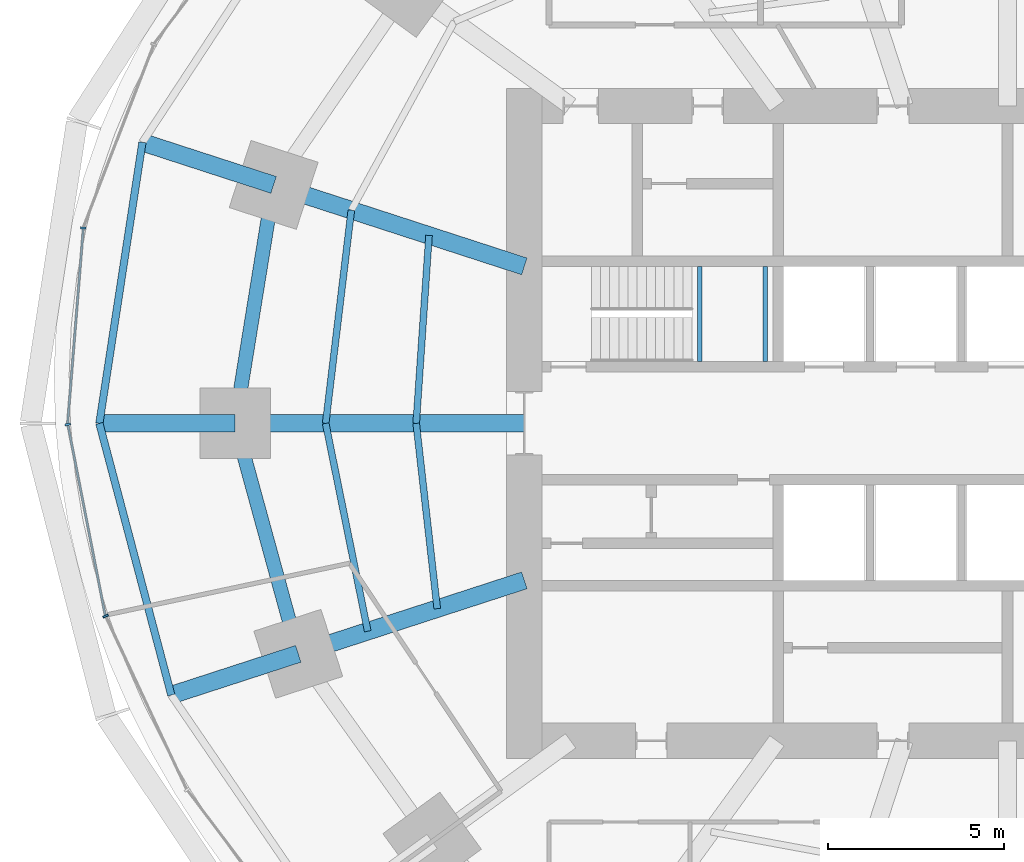
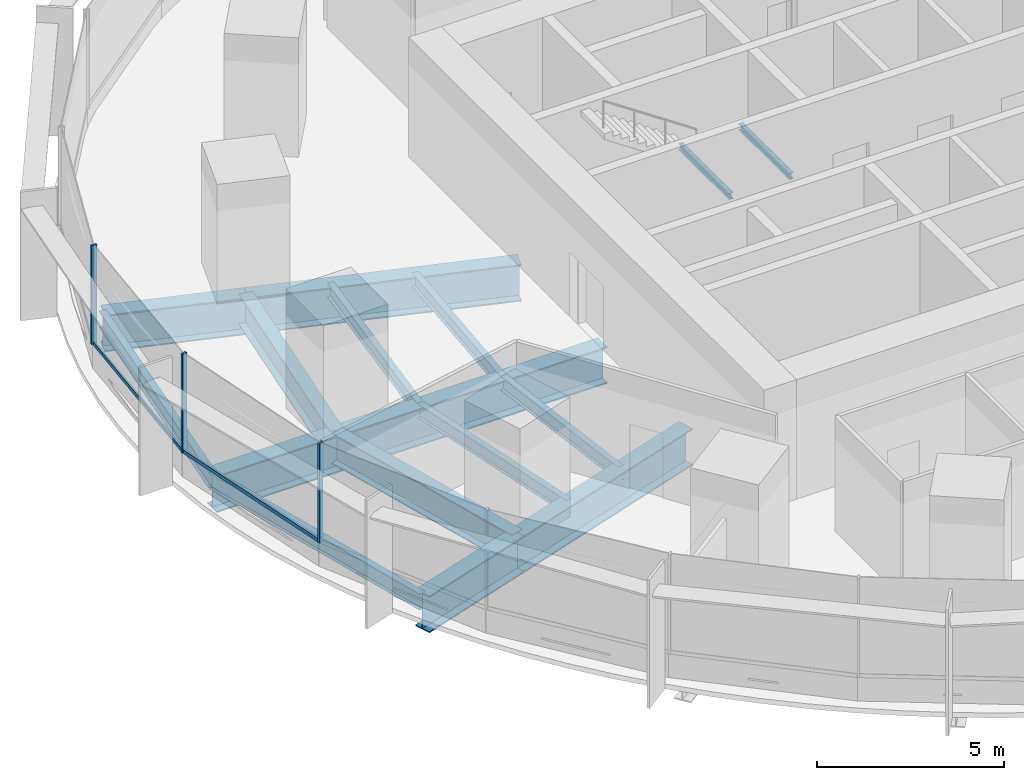
# One storey, part 4 of 15: 16 beams, 5 members, 2 elements without a shape of their own.
"""IFC4 building model written with IfcOpenShell, lengths in metres."""

from ifc_helpers import new_model, si_unit, direction, frame, origin, origin_2d, place, context, subcontext, project, spatial, rectangle, i_section, extrude, material, material_profile, profile_set, type_object, element, aggregate, save


model = new_model("IFC4")

# Units and contexts
model_context = context("Model", 3, precision=1e-05, world=origin(), true_north=direction((0.0, 1.0)))
body_context = subcontext(model_context, "Body", "Model", "MODEL_VIEW")
ifc_project = project(units=[si_unit("LENGTHUNIT", "METRE"), si_unit("AREAUNIT", "SQUARE_METRE"), si_unit("VOLUMEUNIT", "CUBIC_METRE"), si_unit("PLANEANGLEUNIT", "RADIAN"), si_unit("MASSUNIT", "GRAM", prefix="KILO")], contexts=[model_context])

# Site, building, storey
site_placement = place(None, origin())
site = spatial("IfcSite", under=ifc_project, at=site_placement, CompositionType="ELEMENT")
building_placement = place(site_placement, origin())
building = spatial("IfcBuilding", under=site, at=building_placement, Name="Marramba Exchange Tower", CompositionType="ELEMENT")
storey_placement = place(building_placement, frame((0.0, 0.0, 28.0)))
storey = spatial("IfcBuildingStorey", under=building, at=storey_placement, Name="L06", CompositionType="ELEMENT", Elevation=28.0)

# Beams
ifc_material_1 = material(Name="Steel AS/NZS 3679.2 grade 300", Category="steel")
ifc_material_profile_1 = material_profile(ifc_material_1, i_section(OverallWidth=0.5, OverallDepth=1.199951171875, WebThickness=0.01611328125, FlangeThickness=0.0400390625, at=origin_2d()), Name="1200WB455")
ifc_profile_set_1 = profile_set([ifc_material_profile_1], Name="Steel AS/NZS 3679.2 grade 300")
beam_type_1 = type_object("IfcBeamType", Name="Cantilever girder 1200WB455", PredefinedType="BEAM", material=ifc_profile_set_1)
beam_1_placement = place(storey_placement, frame((-20.808349609375, 6.760986328125, -0.760009765625), z_axis=(-0.951058833549, 0.309009862508, 0.0), x_axis=(-0.309009862508, -0.951058833549, 0.0)))
element("IfcBeam", 1, at=beam_1_placement, inside=storey, type_object=beam_type_1, Name="Cantilever girder L06 TC10", PredefinedType="BEAM", context=body_context, shape_type="SweptSolid", body=[
    extrude(i_section(OverallWidth=0.5, OverallDepth=1.199951171875, WebThickness=0.01611328125, FlangeThickness=0.0400390625, at=origin_2d()), origin(), (0.0, 0.0, 1.0), 3.91162109375),
])
beam_2_placement = place(storey_placement, frame((-21.89990234375, 0.0, -0.760009765625), z_axis=(-1.0, 0.0, 0.0), x_axis=(0.0, -1.0, 0.0)))
element("IfcBeam", 2, at=beam_2_placement, inside=storey, type_object=beam_type_1, Name="Cantilever girder L06 TC11", PredefinedType="BEAM", context=body_context, shape_type="SweptSolid", body=[
    extrude(i_section(OverallWidth=0.5, OverallDepth=1.199951171875, WebThickness=0.01611328125, FlangeThickness=0.0400390625, at=origin_2d()), origin(), (0.0, 0.0, 1.0), 3.85009765625),
])
beam_3_placement = place(storey_placement, frame((-20.109375, -6.533935546875, -0.760009765625), z_axis=(-0.951048759501, -0.309040866314, 0.0), x_axis=(0.309040866314, -0.951048759501, 0.0)))
element("IfcBeam", 3, at=beam_3_placement, inside=storey, type_object=beam_type_1, Name="Cantilever girder L06 TC12", PredefinedType="BEAM", context=body_context, shape_type="SweptSolid", body=[
    extrude(i_section(OverallWidth=0.5, OverallDepth=1.199951171875, WebThickness=0.01611328125, FlangeThickness=0.0400390625, at=origin_2d()), origin(), (0.0, 0.0, 1.0), 3.78564453125),
])
ifc_material_2 = material(Name="Steel AS/NZS 3679.1 grade 300", Category="steel")
ifc_material_profile_2 = material_profile(ifc_material_2, i_section(OverallWidth=0.18994140625, OverallDepth=0.4541015625, WebThickness=0.008544921875, FlangeThickness=0.0126953125, FilletRadius=0.011474609375, at=origin_2d()), Name="460UB67.1")
ifc_profile_set_2 = profile_set([ifc_material_profile_2], Name="Steel AS/NZS 3679.1 grade 300")
beam_type_2 = type_object("IfcBeamType", Name="Floor joist 460UB67.1", PredefinedType="JOIST", material=ifc_profile_set_2)
beam_4_placement = place(storey_placement, frame((-16.40283203125, 5.32958984375, -0.386962890625), z_axis=(-0.068096259546, -0.99767875563, 0.0), x_axis=(0.99767875563, -0.068096259546, 0.0)))
element("IfcBeam", 4, at=beam_4_placement, inside=storey, type_object=beam_type_2, Name="Joist L06 bay 10 row 1", PredefinedType="JOIST", context=body_context, shape_type="SweptSolid", body=[
    extrude(i_section(OverallWidth=0.18994140625, OverallDepth=0.4541015625, WebThickness=0.008544921875, FlangeThickness=0.0126953125, FilletRadius=0.011474609375, at=origin_2d()), origin(), (0.0, 0.0, 1.0), 5.342041015625),
])
beam_5_placement = place(storey_placement, frame((-18.60546875, 6.04541015625, -0.386962890625), z_axis=(-0.119523078538, -0.992831422597, 0.0), x_axis=(0.992831422597, -0.119523078538, 0.0)))
element("IfcBeam", 5, at=beam_5_placement, inside=storey, type_object=beam_type_2, Name="Joist L06 bay 10 row 2", PredefinedType="JOIST", context=body_context, shape_type="SweptSolid", body=[
    extrude(i_section(OverallWidth=0.18994140625, OverallDepth=0.4541015625, WebThickness=0.008544921875, FlangeThickness=0.0126953125, FilletRadius=0.011474609375, at=origin_2d()), origin(), (0.0, 0.0, 1.0), 6.089111328125),
])
beam_6_placement = place(storey_placement, frame((-16.7666015625, 0.0, -0.386962890625), z_axis=(0.112888968594, -0.993607609054, 0.0), x_axis=(0.993607609054, 0.112888968594, 0.0)))
element("IfcBeam", 6, at=beam_6_placement, inside=storey, type_object=beam_type_2, Name="Joist L06 bay 11 row 1", PredefinedType="JOIST", context=body_context, shape_type="SweptSolid", body=[
    extrude(i_section(OverallWidth=0.18994140625, OverallDepth=0.4541015625, WebThickness=0.008544921875, FlangeThickness=0.0126953125, FilletRadius=0.011474609375, at=origin_2d()), origin(), (0.0, 0.0, 1.0), 5.28759765625),
])
beam_7_placement = place(storey_placement, frame((-19.333251953125, 0.0, -0.386962890625), z_axis=(0.198489047047, -0.980103105904, 0.0), x_axis=(0.980103105904, 0.198489047047, 0.0)))
element("IfcBeam", 7, at=beam_7_placement, inside=storey, type_object=beam_type_2, Name="Joist L06 bay 11 row 2", PredefinedType="JOIST", context=body_context, shape_type="SweptSolid", body=[
    extrude(i_section(OverallWidth=0.18994140625, OverallDepth=0.4541015625, WebThickness=0.008544921875, FlangeThickness=0.0126953125, FilletRadius=0.011474609375, at=origin_2d()), origin(), (0.0, 0.0, 1.0), 6.013427734375),
])
ifc_material_profile_3 = material_profile(ifc_material_1, i_section(OverallWidth=0.5, OverallDepth=1.199951171875, WebThickness=0.01611328125, FlangeThickness=0.0400390625, at=origin_2d()), Name="1200WB455")
ifc_profile_set_3 = profile_set([ifc_material_profile_3], Name="Steel AS/NZS 3679.2 grade 300")
beam_type_3 = type_object("IfcBeamType", Name="Radial girder 1200WB455", PredefinedType="BEAM", material=ifc_profile_set_3)
beam_8_placement = place(storey_placement, frame((-13.699951171875, 4.451416015625, -0.760009765625), z_axis=(-0.951059990189, 0.309006302624, 0.0), x_axis=(-0.309006302624, -0.951059990189, 0.0)))
element("IfcBeam", 8, at=beam_8_placement, inside=storey, type_object=beam_type_3, Name="Radial girder L06 TC10", PredefinedType="BEAM", context=body_context, shape_type="SweptSolid", body=[
    extrude(i_section(OverallWidth=0.5, OverallDepth=1.199951171875, WebThickness=0.01611328125, FlangeThickness=0.0400390625, at=origin_2d()), origin(), (0.0, 0.0, 1.0), 7.47412109375),
])
beam_9_placement = place(storey_placement, frame((-13.699951171875, 0.0, -0.760009765625), z_axis=(-1.0, 0.0, 0.0), x_axis=(0.0, -1.0, 0.0)))
element("IfcBeam", 9, at=beam_9_placement, inside=storey, type_object=beam_type_3, Name="Radial girder L06 TC11", PredefinedType="BEAM", context=body_context, shape_type="SweptSolid", body=[
    extrude(i_section(OverallWidth=0.5, OverallDepth=1.199951171875, WebThickness=0.01611328125, FlangeThickness=0.0400390625, at=origin_2d()), origin(), (0.0, 0.0, 1.0), 8.199951171875),
])
beam_10_placement = place(storey_placement, frame((-13.699951171875, -4.451416015625, -0.760009765625), z_axis=(-0.951057759669, -0.309013167637, 0.0), x_axis=(0.309013167637, -0.951057759669, 0.0)))
element("IfcBeam", 10, at=beam_10_placement, inside=storey, type_object=beam_type_3, Name="Radial girder L06 TC12", PredefinedType="BEAM", context=body_context, shape_type="SweptSolid", body=[
    extrude(i_section(OverallWidth=0.5, OverallDepth=1.199951171875, WebThickness=0.01611328125, FlangeThickness=0.0400390625, at=origin_2d()), origin(), (0.0, 0.0, 1.0), 6.7392578125),
])
ifc_material_profile_4 = material_profile(ifc_material_1, i_section(OverallWidth=0.39990234375, OverallDepth=1.0, WebThickness=0.01611328125, FlangeThickness=0.031982421875, at=origin_2d()), Name="1000WB322")
ifc_profile_set_4 = profile_set([ifc_material_profile_4], Name="Steel AS/NZS 3679.2 grade 300")
beam_type_4 = type_object("IfcBeamType", Name="Ring beam 1000WB322", PredefinedType="SPANDREL", material=ifc_profile_set_4)
beam_11_placement = place(storey_placement, frame((-20.808349609375, 6.760986328125, -0.659912109375), z_axis=(-0.159384865399, -0.987216523708, 0.0), x_axis=(0.987216523708, -0.159384865399, 0.0)))
element("IfcBeam", 11, at=beam_11_placement, inside=storey, type_object=beam_type_4, Name="Ring beam L06 TC10-TC11", PredefinedType="SPANDREL", context=body_context, shape_type="SweptSolid", body=[
    extrude(i_section(OverallWidth=0.39990234375, OverallDepth=1.0, WebThickness=0.01611328125, FlangeThickness=0.031982421875, at=origin_2d()), origin(), (0.0, 0.0, 1.0), 6.8486328125),
])
beam_12_placement = place(storey_placement, frame((-21.89990234375, 0.0, -0.659912109375), z_axis=(0.264291166956, -0.964442937176, 0.0), x_axis=(0.964442937176, 0.264291166956, 0.0)))
element("IfcBeam", 12, at=beam_12_placement, inside=storey, type_object=beam_type_4, Name="Ring beam L06 TC11-TC12", PredefinedType="SPANDREL", context=body_context, shape_type="SweptSolid", body=[
    extrude(i_section(OverallWidth=0.39990234375, OverallDepth=1.0, WebThickness=0.01611328125, FlangeThickness=0.031982421875, at=origin_2d()), origin(), (0.0, 0.0, 1.0), 6.77490234375),
])
ifc_material_profile_5 = material_profile(ifc_material_2, i_section(OverallWidth=0.208984375, OverallDepth=0.528076171875, WebThickness=0.009521484375, FlangeThickness=0.01318359375, FilletRadius=0.013916015625, at=origin_2d()), Name="530UB82.0")
ifc_profile_set_5 = profile_set([ifc_material_profile_5], Name="Steel AS/NZS 3679.1 grade 300")
beam_type_5 = type_object("IfcBeamType", Name="Slab edge beam 530UB82.0", PredefinedType="SPANDREL", material=ifc_profile_set_5)
beam_13_placement = place(storey_placement, frame((-24.528564453125, 7.9697265625, -0.424072265625), z_axis=(-0.151490591645, -0.988458699513, 0.0), x_axis=(0.988458699513, -0.151490591645, 0.0)))
element("IfcBeam", 13, at=beam_13_placement, inside=storey, type_object=beam_type_5, Name="Slab edge beam L06 TC10-TC11", PredefinedType="SPANDREL", context=body_context, shape_type="SweptSolid", body=[
    extrude(i_section(OverallWidth=0.208984375, OverallDepth=0.528076171875, WebThickness=0.009521484375, FlangeThickness=0.01318359375, FilletRadius=0.013916015625, at=origin_2d()), origin(), (0.0, 0.0, 1.0), 8.062744140625),
])
beam_14_placement = place(storey_placement, frame((-25.75, 0.0, -0.424072265625), z_axis=(0.25601296674, -0.966673347549, 0.0), x_axis=(0.966673347549, 0.25601296674, 0.0)))
element("IfcBeam", 14, at=beam_14_placement, inside=storey, type_object=beam_type_5, Name="Slab edge beam L06 TC11-TC12", PredefinedType="SPANDREL", context=body_context, shape_type="SweptSolid", body=[
    extrude(i_section(OverallWidth=0.208984375, OverallDepth=0.528076171875, WebThickness=0.009521484375, FlangeThickness=0.01318359375, FilletRadius=0.013916015625, at=origin_2d()), origin(), (0.0, 0.0, 1.0), 7.969482421875),
])
ifc_material_profile_6 = material_profile(ifc_material_2, i_section(OverallWidth=0.133056640625, OverallDepth=0.202880859375, WebThickness=0.005859375, FlangeThickness=0.0078125, FilletRadius=0.0087890625, at=origin_2d()), Name="200UB25.4")
ifc_profile_set_6 = profile_set([ifc_material_profile_6], Name="Steel AS/NZS 3679.1 grade 300")
beam_type_6 = type_object("IfcBeamType", Name="Stair landing beam 200UB25.4", PredefinedType="BEAM", material=ifc_profile_set_6)
for number, where, z_axis, x_axis, name in (
    (15, (-8.723388671875, 1.75, 1.798583984375), (0.0, 1.0, 0.0), (-1.0, 0.0, 0.0), "Stair landing beam SLB1 ST1 L06 1"),
    (16, (-6.866455078125, 1.75, 1.798583984375), (0.0, 1.0, 0.0), (-1.0, 0.0, 0.0), "Stair landing beam SLB1 ST1 L06 2"),
):
    element("IfcBeam", number, at=place(storey_placement, frame(where, z_axis=z_axis, x_axis=x_axis)), inside=storey, type_object=beam_type_6, Name=name, PredefinedType="BEAM", context=body_context, shape_type="SweptSolid", body=[
        extrude(i_section(OverallWidth=0.133056640625, OverallDepth=0.202880859375, WebThickness=0.005859375, FlangeThickness=0.0078125, FilletRadius=0.0087890625, at=origin_2d()), origin(), (0.0, 0.0, 1.0), 2.699951171875),
    ])

# Curtain wall, member
ifc_material_3 = material(Name="Aluminium framing, bronze anodised", Category="aluminium")
curtain_wall_type = type_object("IfcCurtainWallType", Name="Trading floor ribbon curtain wall", PredefinedType="USERDEFINED", material=ifc_material_3)
curtain_wall_1_placement = place(storey_placement, origin())
curtain_wall_1 = element("IfcCurtainWall", 17, at=curtain_wall_1_placement, inside=storey, type_object=curtain_wall_type, Name="Curtain wall CW3 L06 F11-F15", ObjectType="RIBBON CURTAIN WALL", PredefinedType="USERDEFINED")
ifc_material_4 = material(Name="Aluminium mullion, bronze anodised", Category="aluminium")
ifc_material_profile_7 = material_profile(ifc_material_4, rectangle(XDim=0.159912109375, YDim=0.06005859375, at=origin_2d()), Name="CW3 mullion 60x160")
ifc_profile_set_7 = profile_set([ifc_material_profile_7], Name="Aluminium mullion, bronze anodised")
member_type_1 = type_object("IfcMemberType", Name="Trading floor ribbon curtain wall mullion", PredefinedType="MULLION", material=ifc_profile_set_7)
member_1_placement = place(storey_placement, frame((-26.203857421875, 5.539306640625, 0.800048828125), z_axis=(0.0, 0.0, 1.0), x_axis=(0.996772736434, -0.080275225953, 0.0)))
member_1 = element("IfcMember", 18, at=member_1_placement, type_object=member_type_1, Name="CW3 mullion 1", PredefinedType="MULLION", context=body_context, shape_type="SweptSolid", body=[
    extrude(rectangle(XDim=0.159912109375, YDim=0.06005859375, at=origin_2d()), origin(), (0.0, 0.0, 1.0), 3.239990234375),
])

# Curtain wall, members
curtain_wall_2_placement = place(storey_placement, origin())
curtain_wall_2 = element("IfcCurtainWall", 19, at=curtain_wall_2_placement, inside=storey, type_object=curtain_wall_type, Name="Curtain wall CW3 L06 F16-F20", ObjectType="RIBBON CURTAIN WALL", PredefinedType="USERDEFINED")
member_2_placement = place(storey_placement, frame((-26.644287109375, -0.029541015625, 0.800048828125), z_axis=(0.0, 0.0, 1.0), x_axis=(0.981346261612, 0.1922485756, 0.0)))
member_2 = element("IfcMember", 20, at=member_2_placement, type_object=member_type_1, Name="CW3 mullion 1", PredefinedType="MULLION", context=body_context, shape_type="SweptSolid", body=[
    extrude(rectangle(XDim=0.159912109375, YDim=0.06005859375, at=origin_2d()), origin(), (0.0, 0.0, 1.0), 3.239990234375),
])
member_3_placement = place(storey_placement, frame((-25.572021484375, -5.46533203125, 0.800048828125), z_axis=(0.0, 0.0, 1.0), x_axis=(0.905906758768, 0.423477206492, 0.0)))
member_3 = element("IfcMember", 21, at=member_3_placement, type_object=member_type_1, Name="CW3 mullion 1", PredefinedType="MULLION", context=body_context, shape_type="SweptSolid", body=[
    extrude(rectangle(XDim=0.159912109375, YDim=0.06005859375, at=origin_2d()), origin(), (0.0, 0.0, 1.0), 3.239990234375),
])

# Member
ifc_material_5 = material(Name="Aluminium transom, bronze anodised", Category="aluminium")
ifc_material_profile_8 = material_profile(ifc_material_5, rectangle(XDim=0.06005859375, YDim=0.1201171875, at=origin_2d()), Name="CW3 transom 60x120")
ifc_profile_set_8 = profile_set([ifc_material_profile_8], Name="Aluminium transom, bronze anodised")
member_type_2 = type_object("IfcMemberType", Name="Trading floor ribbon curtain wall transom", PredefinedType="USERDEFINED", material=ifc_profile_set_8)
member_4_placement = place(storey_placement, frame((-26.206298828125, 5.509521484375, 0.830078125), z_axis=(-0.080256075865, -0.996774278504, 0.0), x_axis=(0.996774278504, -0.080256075865, 0.0)))
member_4 = element("IfcMember", 22, at=member_4_placement, type_object=member_type_2, Name="CW3 sill transom", ObjectType="TRANSOM", PredefinedType="USERDEFINED", context=body_context, shape_type="SweptSolid", body=[
    extrude(rectangle(XDim=0.06005859375, YDim=0.1201171875, at=origin_2d()), origin(), (0.0, 0.0, 1.0), 5.52734375),
])

aggregate(curtain_wall_1, [member_1, member_4])

member_5_placement = place(storey_placement, frame((-26.638427734375, -0.058837890625, 0.830078125), z_axis=(0.192226081646, -0.981350667975, 0.0), x_axis=(0.981350667975, 0.192226081646, 0.0)))
member_5 = element("IfcMember", 23, at=member_5_placement, type_object=member_type_2, Name="CW3 sill transom", ObjectType="TRANSOM", PredefinedType="USERDEFINED", context=body_context, shape_type="SweptSolid", body=[
    extrude(rectangle(XDim=0.06005859375, YDim=0.1201171875, at=origin_2d()), origin(), (0.0, 0.0, 1.0), 5.481689453125),
])

aggregate(curtain_wall_2, [member_2, member_5, member_3])

save(model, "model.ifc")
